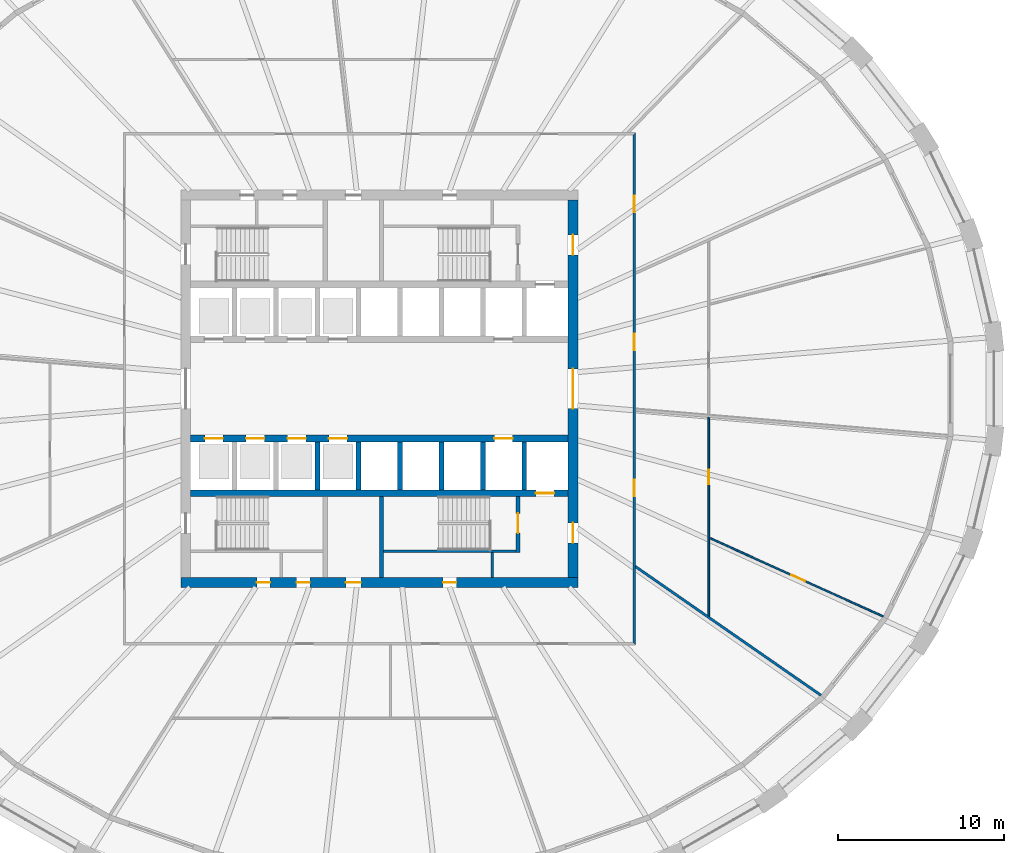
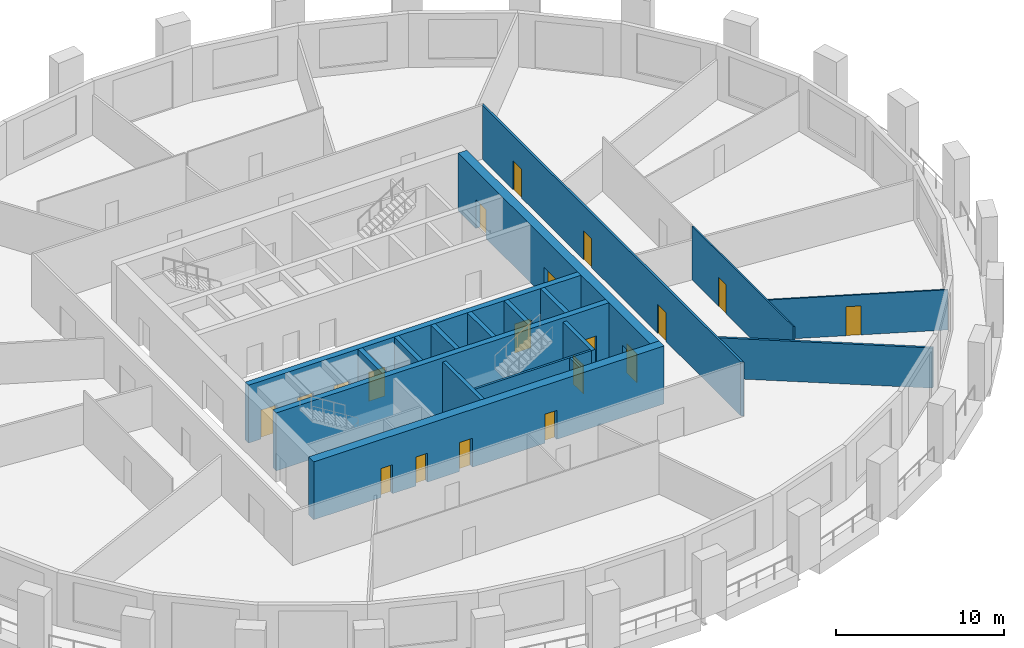
# One storey, part 4 of 10: 19 doors, 18 walls, 19 openings.
"""IFC4 building model written with IfcOpenShell, lengths in metres."""

from ifc_helpers import new_model, si_unit, direction, frame, frame_2d, origin, place, context, subcontext, project, spatial, polyline, rectangle, outline, extrude, material, layer, layer_set, type_object, element, fill, save


model = new_model("IFC4")

# Units and contexts
model_context = context("Model", 3, precision=1e-05, world=origin(), true_north=direction((0.0, 1.0)))
body_context = subcontext(model_context, "Body", "Model", "MODEL_VIEW")
ifc_project = project(units=[si_unit("LENGTHUNIT", "METRE"), si_unit("AREAUNIT", "SQUARE_METRE"), si_unit("VOLUMEUNIT", "CUBIC_METRE"), si_unit("PLANEANGLEUNIT", "RADIAN"), si_unit("MASSUNIT", "GRAM", prefix="KILO")], contexts=[model_context])

# Site, building, storey
site_placement = place(None, origin())
site = spatial("IfcSite", under=ifc_project, at=site_placement, CompositionType="ELEMENT")
building_placement = place(site_placement, origin())
building = spatial("IfcBuilding", under=site, at=building_placement, Name="Halqa Exchange Tower", CompositionType="ELEMENT")
storey_placement = place(building_placement, frame((0.0, 0.0, 48.699951171875)))
storey = spatial("IfcBuildingStorey", under=building, at=storey_placement, Name="L10", CompositionType="ELEMENT", Elevation=48.699951171875)

# Wall, openings, doors
ifc_material_1 = material(Name="Fire-rated gypsum board")
ifc_layer_1 = layer(ifc_material_1, 0.14990234375)
ifc_layer_set_1 = layer_set([ifc_layer_1], Name="Fire-rated gypsum board")
wall_type_1 = type_object("IfcWallType", Name="Fire partition EI 60 150", PredefinedType="PARTITIONING", material=ifc_layer_set_1)
wall_1_placement = place(storey_placement, frame((15.39990234375, -15.47509765625, 0.0), z_axis=(0.0, 0.0, 1.0), x_axis=(0.0, 1.0, 0.0)))
wall_1 = element("IfcWall", 1, at=wall_1_placement, inside=storey, type_object=wall_type_1, Name="L10-PWL-018", PredefinedType="PARTITIONING", context=body_context, shape_type="SweptSolid", body=[
    extrude(outline(polyline([(0.000244140625, -0.074951171875), (1.9345703125, -0.074951171875), (3.868896484375, -0.074951171875), (5.80322265625, -0.074951171875), (7.73779296875, -0.074951171875), (9.672119140625, -0.074951171875), (11.6064453125, -0.074951171875), (13.540771484375, -0.074951171875), (15.47509765625, -0.074951171875), (17.409423828125, -0.074951171875), (19.34375, -0.074951171875), (21.278076171875, -0.074951171875), (23.21240234375, -0.074951171875), (25.14697265625, -0.074951171875), (27.081298828125, -0.074951171875), (29.015625, -0.074951171875), (30.949951171875, -0.074951171875), (30.800048828125, 0.074951171875), (28.884521484375, 0.074951171875), (26.96875, 0.074951171875), (25.05322265625, 0.074951171875), (23.1376953125, 0.074951171875), (21.221923828125, 0.074951171875), (19.306396484375, 0.074951171875), (17.390625, 0.074951171875), (15.47509765625, 0.074951171875), (13.5595703125, 0.074951171875), (11.643798828125, 0.074951171875), (9.728271484375, 0.074951171875), (7.8125, 0.074951171875), (5.89697265625, 0.074951171875), (3.9814453125, 0.074951171875), (2.065673828125, 0.074951171875), (0.150146484375, 0.074951171875), (0.000244140625, -0.074951171875)])), origin(), (0.0, 0.0, 1.0), 3.900146484375),
])
opening_1_placement = place(wall_1_placement, frame((8.989990234375, 0.0, 0.0)))
opening_1 = element("IfcOpeningElement", 2, at=opening_1_placement, cuts=wall_1, Name="Opening 03-10", PredefinedType="OPENING", context=body_context, shape_type="SweptSolid", body=[
    extrude(rectangle(XDim=1.0, YDim=2.10009765625, at=frame_2d((0.5, 1.050048828125))), frame((0.0, 0.0869140625, 0.0), z_axis=(0.0, -1.0, 0.0), x_axis=(1.0, 0.0, 0.0)), (0.0, 0.0, 1.0), 0.173828125),
])
opening_2_placement = place(wall_1_placement, frame((17.81494140625, 0.0, 0.0)))
opening_2 = element("IfcOpeningElement", 3, at=opening_2_placement, cuts=wall_1, Name="Opening 03-11", PredefinedType="OPENING", context=body_context, shape_type="SweptSolid", body=[
    extrude(rectangle(XDim=1.0, YDim=2.10009765625, at=frame_2d((0.5, 1.050048828125))), frame((0.0, 0.0869140625, 0.0), z_axis=(0.0, -1.0, 0.0), x_axis=(1.0, 0.0, 0.0)), (0.0, 0.0, 1.0), 0.173828125),
])
opening_3_placement = place(wall_1_placement, frame((26.155029296875, 0.0, 0.0)))
opening_3 = element("IfcOpeningElement", 4, at=opening_3_placement, cuts=wall_1, Name="Opening 03-12", PredefinedType="OPENING", context=body_context, shape_type="SweptSolid", body=[
    extrude(rectangle(XDim=1.0, YDim=2.10009765625, at=frame_2d((0.5, 1.050048828125))), frame((0.0, 0.0869140625, 0.0), z_axis=(0.0, -1.0, 0.0), x_axis=(1.0, 0.0, 0.0)), (0.0, 0.0, 1.0), 0.173828125),
])
ifc_material_2 = material(Name="Steel fire door leaf", Category="steel")
door_type_1 = type_object("IfcDoorType", Name="Fire door FD30S 1000 x 2100", OperationType="SINGLE_SWING_LEFT", PredefinedType="DOOR", material=ifc_material_2)
door_1_placement = place(opening_1_placement, frame((1.0, 0.0, 0.0), z_axis=(0.0, 0.0, 1.0), x_axis=(-1.0, 0.0, 0.0)))
door_1 = element("IfcDoor", 5, at=door_1_placement, inside=storey, type_object=door_type_1, Name="L10-IDR-010", OperationType="SINGLE_SWING_RIGHT", OverallHeight=2.10009765625, OverallWidth=1.0, PredefinedType="DOOR", context=body_context, shape_type="SweptSolid", body=[
    extrude(rectangle(XDim=1.0, YDim=2.10009765625, at=frame_2d((0.5, 1.050048828125))), frame((0.0, 0.02490234375, 0.0), z_axis=(0.0, -1.0, 0.0), x_axis=(1.0, 0.0, 0.0)), (0.0, 0.0, 1.0), 0.050048828125),
])
fill(opening_1, door_1)
door_2_placement = place(opening_2_placement, frame((1.0, 0.0, 0.0), z_axis=(0.0, 0.0, 1.0), x_axis=(-1.0, 0.0, 0.0)))
door_2 = element("IfcDoor", 6, at=door_2_placement, inside=storey, type_object=door_type_1, Name="L10-IDR-011", OperationType="SINGLE_SWING_RIGHT", OverallHeight=2.10009765625, OverallWidth=1.0, PredefinedType="DOOR", context=body_context, shape_type="SweptSolid", body=[
    extrude(rectangle(XDim=1.0, YDim=2.10009765625, at=frame_2d((0.5, 1.050048828125))), frame((0.0, 0.02490234375, 0.0), z_axis=(0.0, -1.0, 0.0), x_axis=(1.0, 0.0, 0.0)), (0.0, 0.0, 1.0), 0.050048828125),
])
fill(opening_2, door_2)
door_3_placement = place(opening_3_placement, frame((1.0, 0.0, 0.0), z_axis=(0.0, 0.0, 1.0), x_axis=(-1.0, 0.0, 0.0)))
door_3 = element("IfcDoor", 7, at=door_3_placement, inside=storey, type_object=door_type_1, Name="L10-IDR-012", OperationType="SINGLE_SWING_LEFT", OverallHeight=2.10009765625, OverallWidth=1.0, PredefinedType="DOOR", context=body_context, shape_type="SweptSolid", body=[
    extrude(rectangle(XDim=1.0, YDim=2.10009765625, at=frame_2d((0.5, 1.050048828125))), frame((0.0, 0.02490234375, 0.0), z_axis=(0.0, -1.0, 0.0), x_axis=(1.0, 0.0, 0.0)), (0.0, 0.0, 1.0), 0.050048828125),
])
fill(opening_3, door_3)

# Wall
wall_2_placement = place(storey_placement, frame((15.4326171875, -10.71240234375, 0.0), z_axis=(0.0, 0.0, 1.0), x_axis=(0.82159356676, -0.570073689148, 0.0)))
element("IfcWall", 8, at=wall_2_placement, inside=storey, type_object=wall_type_1, Name="L10-PWL-019", PredefinedType="PARTITIONING", context=body_context, shape_type="SweptSolid", body=[
    extrude(outline(polyline([(0.103515625, -0.074951171875), (2.04150390625, -0.074951171875), (3.9794921875, -0.074951171875), (5.917236328125, -0.074951171875), (7.855224609375, -0.074951171875), (9.793212890625, -0.074951171875), (11.731201171875, -0.074951171875), (13.6689453125, -0.074951171875), (13.689697265625, 0.001953125), (13.694091796875, 0.073974609375), (13.694091796875, 0.074951171875), (12.021484375, 0.074951171875), (10.348876953125, 0.074951171875), (8.67626953125, 0.074951171875), (7.003662109375, 0.074951171875), (5.331298828125, 0.074951171875), (5.32666015625, 0.07177734375), (5.32470703125, 0.074951171875), (3.5498046875, 0.074951171875), (1.77490234375, 0.074951171875), (0.0, 0.074951171875), (0.0, 0.074462890625), (0.103515625, -0.074951171875)])), origin(), (0.0, 0.0, 1.0), 2.91015625),
])

# Wall, opening, door
ifc_material_3 = material(Name="Gypsum board")
ifc_layer_2 = layer(ifc_material_3, 0.10009765625)
ifc_layer_set_2 = layer_set([ifc_layer_2], Name="Gypsum board")
wall_type_2 = type_object("IfcWallType", Name="Partition 100 gypsum", PredefinedType="PARTITIONING", material=ifc_layer_set_2)
wall_3_placement = place(storey_placement, frame((19.89990234375, -13.755615234375, 0.0), z_axis=(0.0, 0.0, 1.0), x_axis=(0.0, 1.0, 0.0)))
wall_3 = element("IfcWall", 9, at=wall_3_placement, inside=storey, type_object=wall_type_2, Name="L10-PWL-022", PredefinedType="PARTITIONING", context=body_context, shape_type="SweptSolid", body=[
    extrude(outline(polyline([(0.0, -0.050048828125), (1.562744140625, -0.050048828125), (3.12548828125, -0.050048828125), (4.688232421875, -0.050048828125), (4.689208984375, -0.0478515625), (4.69384765625, -0.050048828125), (6.525390625, -0.050048828125), (8.35693359375, -0.050048828125), (10.188232421875, -0.050048828125), (12.019775390625, -0.050048828125), (12.028076171875, 0.049072265625), (12.028076171875, 0.050048828125), (10.034912109375, 0.050048828125), (8.041748046875, 0.050048828125), (6.048828125, 0.050048828125), (4.0556640625, 0.050048828125), (2.0625, 0.050048828125), (0.0693359375, 0.050048828125), (0.0, -0.050048828125), (0.0, -0.050048828125)])), origin(), (0.0, 0.0, 1.0), 3.900146484375),
])
opening_4_placement = place(wall_3_placement, frame((7.98046875, 0.0, 0.0)))
opening_4 = element("IfcOpeningElement", 10, at=opening_4_placement, cuts=wall_3, Name="Opening 03-18", PredefinedType="OPENING", context=body_context, shape_type="SweptSolid", body=[
    extrude(rectangle(XDim=0.89990234375, YDim=2.10009765625, at=frame_2d((0.449951171875, 1.050048828125))), frame((0.0, 0.06201171875, 0.0), z_axis=(0.0, -1.0, 0.0), x_axis=(1.0, 0.0, 0.0)), (0.0, 0.0, 1.0), 0.1240234375),
])
ifc_material_4 = material(Name="Timber door leaf", Category="wood")
door_type_2 = type_object("IfcDoorType", Name="Door 900 x 2100", OperationType="SINGLE_SWING_LEFT", PredefinedType="DOOR", material=ifc_material_4)
door_4_placement = place(opening_4_placement, origin())
door_4 = element("IfcDoor", 11, at=door_4_placement, inside=storey, type_object=door_type_2, Name="L10-IDR-018", OperationType="SINGLE_SWING_LEFT", OverallHeight=2.10009765625, OverallWidth=0.89990234375, PredefinedType="DOOR", context=body_context, shape_type="SweptSolid", body=[
    extrude(rectangle(XDim=0.89990234375, YDim=2.10009765625, at=frame_2d((0.449951171875, 1.050048828125))), frame((0.0, 0.02490234375, 0.0), z_axis=(0.0, -1.0, 0.0), x_axis=(1.0, 0.0, 0.0)), (0.0, 0.0, 1.0), 0.050048828125),
])
fill(opening_4, door_4)

wall_4_placement = place(storey_placement, frame((19.9296875, -9.00341796875, 0.0), z_axis=(0.0, 0.0, 1.0), x_axis=(0.911257901719, -0.41183617684, 0.0)))
wall_4 = element("IfcWall", 12, at=wall_4_placement, inside=storey, type_object=wall_type_2, Name="L10-PWL-023", PredefinedType="PARTITIONING", context=body_context, shape_type="SweptSolid", body=[
    extrude(outline(polyline([(0.044921875, -0.050048828125), (1.9580078125, -0.050048828125), (3.871337890625, -0.050048828125), (5.78466796875, -0.050048828125), (7.69775390625, -0.050048828125), (9.611083984375, -0.050048828125), (11.524169921875, -0.050048828125), (11.535888671875, -0.003662109375), (11.537353515625, 0.0478515625), (11.537353515625, 0.050048828125), (9.614501953125, 0.050048828125), (7.691650390625, 0.050048828125), (5.7685546875, 0.050048828125), (3.845703125, 0.050048828125), (1.9228515625, 0.050048828125), (0.0, 0.050048828125), (0.0, 0.04931640625), (0.044921875, -0.050048828125)])), origin(), (0.0, 0.0, 1.0), 2.91015625),
])
opening_5_placement = place(wall_4_placement, frame((5.454345703125, 0.0, 0.0)))
opening_5 = element("IfcOpeningElement", 13, at=opening_5_placement, cuts=wall_4, Name="Opening 03-19", PredefinedType="OPENING", context=body_context, shape_type="SweptSolid", body=[
    extrude(rectangle(XDim=0.89990234375, YDim=2.10009765625, at=frame_2d((0.449951171875, 1.050048828125))), frame((0.0, 0.06201171875, 0.0), z_axis=(0.0, -1.0, 0.0), x_axis=(1.0, 0.0, 0.0)), (0.0, 0.0, 1.0), 0.1240234375),
])
door_5_placement = place(opening_5_placement, frame((0.89990234375, 0.0, 0.0), z_axis=(0.0, 0.0, 1.0), x_axis=(-1.0, 0.0, 0.0)))
door_5 = element("IfcDoor", 14, at=door_5_placement, inside=storey, type_object=door_type_2, Name="L10-IDR-019", OperationType="SINGLE_SWING_RIGHT", OverallHeight=2.10009765625, OverallWidth=0.89990234375, PredefinedType="DOOR", context=body_context, shape_type="SweptSolid", body=[
    extrude(rectangle(XDim=0.89990234375, YDim=2.10009765625, at=frame_2d((0.449951171875, 1.050048828125))), frame((0.0, 0.02490234375, 0.0), z_axis=(0.0, -1.0, 0.0), x_axis=(1.0, 0.0, 0.0)), (0.0, 0.0, 1.0), 0.050048828125),
])
fill(opening_5, door_5)

# Walls
ifc_layer_3 = layer(ifc_material_3, 0.14990234375)
ifc_layer_set_3 = layer_set([ifc_layer_3], Name="Gypsum board")
wall_type_3 = type_object("IfcWallType", Name="Penthouse riser wall 150 gypsum", PredefinedType="PARTITIONING", material=ifc_layer_set_3)
wall_5_placement = place(storey_placement, frame((6.824951171875, -11.39990234375, 0.0), z_axis=(0.0, 0.0, 1.0), x_axis=(0.0, 1.0, 0.0)))
element("IfcWall", 15, at=wall_5_placement, inside=storey, type_object=wall_type_3, Name="Firefighting lobby west wall S", PredefinedType="PARTITIONING", context=body_context, shape_type="SweptSolid", body=[
    extrude(rectangle(XDim=1.5, YDim=0.14990234375, at=frame_2d((0.75, 0.0))), origin(), (0.0, 0.0, 1.0), 3.900146484375),
])
ifc_material_5 = material(Name="Concrete C60/75", Category="concrete")
ifc_layer_4 = layer(ifc_material_5, 0.300048828125)
ifc_layer_set_4 = layer_set([ifc_layer_4], Name="Concrete C60/75")
wall_type_4 = type_object("IfcWallType", Name="RC core wall 300", PredefinedType="SHEAR", material=ifc_layer_set_4)
for number, where, z_axis, x_axis, name in (
    (16, (-3.75, -6.10009765625, 0.0), (0.0, 0.0, 1.0), (0.0, 1.0, 0.0), "Shaft divider S3"),
    (17, (-1.25, -6.10009765625, 0.0), (0.0, 0.0, 1.0), (0.0, 1.0, 0.0), "Shaft divider S4"),
    (18, (1.25, -6.10009765625, 0.0), (0.0, 0.0, 1.0), (0.0, 1.0, 0.0), "Shaft divider S5"),
    (19, (3.75, -6.10009765625, 0.0), (0.0, 0.0, 1.0), (0.0, 1.0, 0.0), "Shaft divider S6"),
    (20, (6.25, -6.10009765625, 0.0), (0.0, 0.0, 1.0), (0.0, 1.0, 0.0), "Shaft divider S7"),
    (21, (8.75, -6.10009765625, 0.0), (0.0, 0.0, 1.0), (0.0, 1.0, 0.0), "Shaft divider S8"),
):
    element("IfcWall", number, at=place(storey_placement, frame(where, z_axis=z_axis, x_axis=x_axis)), inside=storey, type_object=wall_type_4, Name=name, PredefinedType="SHEAR", context=body_context, shape_type="SweptSolid", body=[
        extrude(rectangle(XDim=2.900146484375, YDim=0.300048828125, at=frame_2d((1.4501953125, 0.0))), origin(), (0.0, 0.0, 1.0), 4.199951171875),
    ])

# Wall, openings, doors
ifc_material_6 = material(Name="Concrete C80/95", Category="concrete")
ifc_layer_5 = layer(ifc_material_6, 0.39990234375)
ifc_layer_set_5 = layer_set([ifc_layer_5], Name="Concrete C80/95")
wall_type_5 = type_object("IfcWallType", Name="RC core wall 400 C80/95", PredefinedType="SHEAR", material=ifc_layer_set_5)
wall_6_placement = place(storey_placement, frame((-11.39990234375, -3.0, 0.0), z_axis=(0.0, 0.0, 1.0), x_axis=(1.0, 0.0, 0.0)))
wall_6 = element("IfcWall", 22, at=wall_6_placement, inside=storey, type_object=wall_type_5, Name="Lift row front wall S", PredefinedType="SHEAR", context=body_context, shape_type="SweptSolid", body=[
    extrude(rectangle(XDim=22.7998046875, YDim=0.39990234375, at=frame_2d((11.39990234375, 0.0))), origin(), (0.0, 0.0, 1.0), 4.199951171875),
])
opening_6_placement = place(wall_6_placement, frame((0.85009765625, 0.0, 0.0)))
opening_6 = element("IfcOpeningElement", 23, at=opening_6_placement, cuts=wall_6, Name="Opening LD-LR5-T03", PredefinedType="OPENING", context=body_context, shape_type="SweptSolid", body=[
    extrude(rectangle(XDim=1.10009765625, YDim=2.10009765625, at=frame_2d((0.550048828125, 1.050048828125))), frame((0.0, 0.2119140625, 0.0), z_axis=(0.0, -1.0, 0.0), x_axis=(1.0, 0.0, 0.0)), (0.0, 0.0, 1.0), 0.423828125),
])
opening_7_placement = place(wall_6_placement, frame((3.35009765625, 0.0, 0.0)))
opening_7 = element("IfcOpeningElement", 24, at=opening_7_placement, cuts=wall_6, Name="Opening LD-LR6-T03", PredefinedType="OPENING", context=body_context, shape_type="SweptSolid", body=[
    extrude(rectangle(XDim=1.10009765625, YDim=2.10009765625, at=frame_2d((0.550048828125, 1.050048828125))), frame((0.0, 0.2119140625, 0.0), z_axis=(0.0, -1.0, 0.0), x_axis=(1.0, 0.0, 0.0)), (0.0, 0.0, 1.0), 0.423828125),
])
opening_8_placement = place(wall_6_placement, frame((5.85009765625, 0.0, 0.0)))
opening_8 = element("IfcOpeningElement", 25, at=opening_8_placement, cuts=wall_6, Name="Opening LD-LR7-T03", PredefinedType="OPENING", context=body_context, shape_type="SweptSolid", body=[
    extrude(rectangle(XDim=1.10009765625, YDim=2.10009765625, at=frame_2d((0.550048828125, 1.050048828125))), frame((0.0, 0.2119140625, 0.0), z_axis=(0.0, -1.0, 0.0), x_axis=(1.0, 0.0, 0.0)), (0.0, 0.0, 1.0), 0.423828125),
])
opening_9_placement = place(wall_6_placement, frame((8.35009765625, 0.0, 0.0)))
opening_9 = element("IfcOpeningElement", 26, at=opening_9_placement, cuts=wall_6, Name="Opening LD-LR8-T03", PredefinedType="OPENING", context=body_context, shape_type="SweptSolid", body=[
    extrude(rectangle(XDim=1.10009765625, YDim=2.10009765625, at=frame_2d((0.550048828125, 1.050048828125))), frame((0.0, 0.2119140625, 0.0), z_axis=(0.0, -1.0, 0.0), x_axis=(1.0, 0.0, 0.0)), (0.0, 0.0, 1.0), 0.423828125),
])
opening_10_placement = place(wall_6_placement, frame((18.35009765625, 0.0, 0.0)))
opening_10 = element("IfcOpeningElement", 27, at=opening_10_placement, cuts=wall_6, Name="Opening LD-SV2-T03", PredefinedType="OPENING", context=body_context, shape_type="SweptSolid", body=[
    extrude(rectangle(XDim=1.10009765625, YDim=2.10009765625, at=frame_2d((0.550048828125, 1.050048828125))), frame((0.0, 0.2119140625, 0.0), z_axis=(0.0, -1.0, 0.0), x_axis=(1.0, 0.0, 0.0)), (0.0, 0.0, 1.0), 0.423828125),
])
ifc_material_7 = material(Name="Stainless steel", Category="steel")
door_type_3 = type_object("IfcDoorType", Name="Lift landing door 1100 x 2100", OperationType="SLIDING_TO_LEFT", PredefinedType="DOOR", material=ifc_material_7)
door_6_placement = place(opening_6_placement, origin())
door_6 = element("IfcDoor", 28, at=door_6_placement, inside=storey, type_object=door_type_3, Name="Lift landing door LR5", OperationType="SLIDING_TO_LEFT", OverallHeight=2.10009765625, OverallWidth=1.10009765625, PredefinedType="DOOR", context=body_context, shape_type="SweptSolid", body=[
    extrude(rectangle(XDim=1.10009765625, YDim=2.10009765625, at=frame_2d((0.550048828125, 1.050048828125))), frame((0.0, 0.02490234375, 0.0), z_axis=(0.0, -1.0, 0.0), x_axis=(1.0, 0.0, 0.0)), (0.0, 0.0, 1.0), 0.050048828125),
])
fill(opening_6, door_6)
door_7_placement = place(opening_7_placement, origin())
door_7 = element("IfcDoor", 29, at=door_7_placement, inside=storey, type_object=door_type_3, Name="Lift landing door LR6", OperationType="SLIDING_TO_LEFT", OverallHeight=2.10009765625, OverallWidth=1.10009765625, PredefinedType="DOOR", context=body_context, shape_type="SweptSolid", body=[
    extrude(rectangle(XDim=1.10009765625, YDim=2.10009765625, at=frame_2d((0.550048828125, 1.050048828125))), frame((0.0, 0.02490234375, 0.0), z_axis=(0.0, -1.0, 0.0), x_axis=(1.0, 0.0, 0.0)), (0.0, 0.0, 1.0), 0.050048828125),
])
fill(opening_7, door_7)
door_8_placement = place(opening_8_placement, origin())
door_8 = element("IfcDoor", 30, at=door_8_placement, inside=storey, type_object=door_type_3, Name="Lift landing door LR7", OperationType="SLIDING_TO_LEFT", OverallHeight=2.10009765625, OverallWidth=1.10009765625, PredefinedType="DOOR", context=body_context, shape_type="SweptSolid", body=[
    extrude(rectangle(XDim=1.10009765625, YDim=2.10009765625, at=frame_2d((0.550048828125, 1.050048828125))), frame((0.0, 0.02490234375, 0.0), z_axis=(0.0, -1.0, 0.0), x_axis=(1.0, 0.0, 0.0)), (0.0, 0.0, 1.0), 0.050048828125),
])
fill(opening_8, door_8)
door_9_placement = place(opening_9_placement, origin())
door_9 = element("IfcDoor", 31, at=door_9_placement, inside=storey, type_object=door_type_3, Name="Lift landing door LR8", OperationType="SLIDING_TO_LEFT", OverallHeight=2.10009765625, OverallWidth=1.10009765625, PredefinedType="DOOR", context=body_context, shape_type="SweptSolid", body=[
    extrude(rectangle(XDim=1.10009765625, YDim=2.10009765625, at=frame_2d((0.550048828125, 1.050048828125))), frame((0.0, 0.02490234375, 0.0), z_axis=(0.0, -1.0, 0.0), x_axis=(1.0, 0.0, 0.0)), (0.0, 0.0, 1.0), 0.050048828125),
])
fill(opening_9, door_9)
door_10_placement = place(opening_10_placement, origin())
door_10 = element("IfcDoor", 32, at=door_10_placement, inside=storey, type_object=door_type_3, Name="Lift landing door SV2", OperationType="SLIDING_TO_LEFT", OverallHeight=2.10009765625, OverallWidth=1.10009765625, PredefinedType="DOOR", context=body_context, shape_type="SweptSolid", body=[
    extrude(rectangle(XDim=1.10009765625, YDim=2.10009765625, at=frame_2d((0.550048828125, 1.050048828125))), frame((0.0, 0.02490234375, 0.0), z_axis=(0.0, -1.0, 0.0), x_axis=(1.0, 0.0, 0.0)), (0.0, 0.0, 1.0), 0.050048828125),
])
fill(opening_10, door_10)

# Wall, opening, door
wall_7_placement = place(storey_placement, frame((-11.39990234375, -6.300048828125, 0.0), z_axis=(0.0, 0.0, 1.0), x_axis=(1.0, 0.0, 0.0)))
wall_7 = element("IfcWall", 33, at=wall_7_placement, inside=storey, type_object=wall_type_5, Name="Lift row back wall S", PredefinedType="SHEAR", context=body_context, shape_type="SweptSolid", body=[
    extrude(rectangle(XDim=22.7998046875, YDim=0.39990234375, at=frame_2d((11.39990234375, 0.0))), origin(), (0.0, 0.0, 1.0), 4.199951171875),
])
opening_11_placement = place(wall_7_placement, frame((20.85009765625, 0.0, 0.0)))
opening_11 = element("IfcOpeningElement", 34, at=opening_11_placement, cuts=wall_7, Name="Opening LD-FF2-T03", PredefinedType="OPENING", context=body_context, shape_type="SweptSolid", body=[
    extrude(rectangle(XDim=1.10009765625, YDim=2.10009765625, at=frame_2d((0.550048828125, 1.050048828125))), frame((0.0, 0.2119140625, 0.0), z_axis=(0.0, -1.0, 0.0), x_axis=(1.0, 0.0, 0.0)), (0.0, 0.0, 1.0), 0.423828125),
])
door_11_placement = place(opening_11_placement, origin())
door_11 = element("IfcDoor", 35, at=door_11_placement, inside=storey, type_object=door_type_3, Name="Lift landing door FF2", OperationType="SLIDING_TO_LEFT", OverallHeight=2.10009765625, OverallWidth=1.10009765625, PredefinedType="DOOR", context=body_context, shape_type="SweptSolid", body=[
    extrude(rectangle(XDim=1.10009765625, YDim=2.10009765625, at=frame_2d((0.550048828125, 1.050048828125))), frame((0.0, 0.02490234375, 0.0), z_axis=(0.0, -1.0, 0.0), x_axis=(1.0, 0.0, 0.0)), (0.0, 0.0, 1.0), 0.050048828125),
])
fill(opening_11, door_11)

# Wall, openings, doors
ifc_layer_6 = layer(ifc_material_6, 0.60009765625)
ifc_layer_set_6 = layer_set([ifc_layer_6], Name="Concrete C80/95")
wall_type_6 = type_object("IfcWallType", Name="RC core wall 600 C80/95", PredefinedType="SHEAR", material=ifc_layer_set_6)
wall_8_placement = place(storey_placement, frame((-12.0, -11.699951171875, 0.0), z_axis=(0.0, 0.0, 1.0), x_axis=(1.0, 0.0, 0.0)))
wall_8 = element("IfcWall", 36, at=wall_8_placement, inside=storey, type_object=wall_type_6, Name="Core wall south", PredefinedType="SHEAR", context=body_context, shape_type="SweptSolid", body=[
    extrude(rectangle(XDim=24.0, YDim=0.60009765625, at=frame_2d((12.0, 0.0))), origin(), (0.0, 0.0, 1.0), 4.199951171875),
])
opening_12_placement = place(wall_8_placement, frame((9.97509765625, 0.0, 0.0)))
opening_12 = element("IfcOpeningElement", 37, at=opening_12_placement, cuts=wall_8, Name="Opening T03-C25", PredefinedType="OPENING", context=body_context, shape_type="SweptSolid", body=[
    extrude(rectangle(XDim=0.89990234375, YDim=2.10009765625, at=frame_2d((0.449951171875, 1.050048828125))), frame((0.0, 0.31201171875, 0.0), z_axis=(0.0, -1.0, 0.0), x_axis=(1.0, 0.0, 0.0)), (0.0, 0.0, 1.0), 0.6240234375),
])
opening_13_placement = place(wall_8_placement, frame((4.60009765625, 0.0, 0.0)))
opening_13 = element("IfcOpeningElement", 38, at=opening_13_placement, cuts=wall_8, Name="Opening T03-C26", PredefinedType="OPENING", context=body_context, shape_type="SweptSolid", body=[
    extrude(rectangle(XDim=0.800048828125, YDim=2.10009765625, at=frame_2d((0.39990234375, 1.050048828125))), frame((0.0, 0.31201171875, 0.0), z_axis=(0.0, -1.0, 0.0), x_axis=(1.0, 0.0, 0.0)), (0.0, 0.0, 1.0), 0.6240234375),
])
opening_14_placement = place(wall_8_placement, frame((7.0, 0.0, 0.0)))
opening_14 = element("IfcOpeningElement", 39, at=opening_14_placement, cuts=wall_8, Name="Opening T03-C27", PredefinedType="OPENING", context=body_context, shape_type="SweptSolid", body=[
    extrude(rectangle(XDim=0.800048828125, YDim=2.10009765625, at=frame_2d((0.39990234375, 1.050048828125))), frame((0.0, 0.31201171875, 0.0), z_axis=(0.0, -1.0, 0.0), x_axis=(1.0, 0.0, 0.0)), (0.0, 0.0, 1.0), 0.6240234375),
])
opening_15_placement = place(wall_8_placement, frame((15.85009765625, 0.0, 0.0)))
opening_15 = element("IfcOpeningElement", 40, at=opening_15_placement, cuts=wall_8, Name="Opening T03-C28", PredefinedType="OPENING", context=body_context, shape_type="SweptSolid", body=[
    extrude(rectangle(XDim=0.800048828125, YDim=2.10009765625, at=frame_2d((0.39990234375, 1.050048828125))), frame((0.0, 0.31201171875, 0.0), z_axis=(0.0, -1.0, 0.0), x_axis=(1.0, 0.0, 0.0)), (0.0, 0.0, 1.0), 0.6240234375),
])
ifc_material_8 = material(Name="Timber fire door leaf", Category="wood")
door_type_4 = type_object("IfcDoorType", Name="Core room door FD30 900 x 2100", OperationType="SINGLE_SWING_LEFT", PredefinedType="DOOR", material=ifc_material_8)
door_12_placement = place(opening_12_placement, origin())
door_12 = element("IfcDoor", 41, at=door_12_placement, inside=storey, type_object=door_type_4, Name="Core room door", OperationType="SINGLE_SWING_LEFT", OverallHeight=2.10009765625, OverallWidth=0.89990234375, PredefinedType="DOOR", context=body_context, shape_type="SweptSolid", body=[
    extrude(rectangle(XDim=0.89990234375, YDim=2.10009765625, at=frame_2d((0.449951171875, 1.050048828125))), frame((0.0, 0.02490234375, 0.0), z_axis=(0.0, -1.0, 0.0), x_axis=(1.0, 0.0, 0.0)), (0.0, 0.0, 1.0), 0.050048828125),
])
fill(opening_12, door_12)
door_type_5 = type_object("IfcDoorType", Name="Riser door FD60 800 x 2100", OperationType="SINGLE_SWING_LEFT", PredefinedType="DOOR", material=ifc_material_2)
door_13_placement = place(opening_13_placement, origin())
door_13 = element("IfcDoor", 42, at=door_13_placement, inside=storey, type_object=door_type_5, Name="Core room door", OperationType="SINGLE_SWING_LEFT", OverallHeight=2.10009765625, OverallWidth=0.800048828125, PredefinedType="DOOR", context=body_context, shape_type="SweptSolid", body=[
    extrude(rectangle(XDim=0.800048828125, YDim=2.10009765625, at=frame_2d((0.39990234375, 1.050048828125))), frame((0.0, 0.02490234375, 0.0), z_axis=(0.0, -1.0, 0.0), x_axis=(1.0, 0.0, 0.0)), (0.0, 0.0, 1.0), 0.050048828125),
])
fill(opening_13, door_13)
door_14_placement = place(opening_14_placement, origin())
door_14 = element("IfcDoor", 43, at=door_14_placement, inside=storey, type_object=door_type_5, Name="Core room door", OperationType="SINGLE_SWING_LEFT", OverallHeight=2.10009765625, OverallWidth=0.800048828125, PredefinedType="DOOR", context=body_context, shape_type="SweptSolid", body=[
    extrude(rectangle(XDim=0.800048828125, YDim=2.10009765625, at=frame_2d((0.39990234375, 1.050048828125))), frame((0.0, 0.02490234375, 0.0), z_axis=(0.0, -1.0, 0.0), x_axis=(1.0, 0.0, 0.0)), (0.0, 0.0, 1.0), 0.050048828125),
])
fill(opening_14, door_14)
door_15_placement = place(opening_15_placement, origin())
door_15 = element("IfcDoor", 44, at=door_15_placement, inside=storey, type_object=door_type_5, Name="Core room door", OperationType="SINGLE_SWING_LEFT", OverallHeight=2.10009765625, OverallWidth=0.800048828125, PredefinedType="DOOR", context=body_context, shape_type="SweptSolid", body=[
    extrude(rectangle(XDim=0.800048828125, YDim=2.10009765625, at=frame_2d((0.39990234375, 1.050048828125))), frame((0.0, 0.02490234375, 0.0), z_axis=(0.0, -1.0, 0.0), x_axis=(1.0, 0.0, 0.0)), (0.0, 0.0, 1.0), 0.050048828125),
])
fill(opening_15, door_15)

wall_9_placement = place(storey_placement, frame((11.699951171875, -11.39990234375, 0.0), z_axis=(0.0, 0.0, 1.0), x_axis=(0.0, 1.0, 0.0)))
wall_9 = element("IfcWall", 45, at=wall_9_placement, inside=storey, type_object=wall_type_6, Name="Core wall east", PredefinedType="SHEAR", context=body_context, shape_type="SweptSolid", body=[
    extrude(rectangle(XDim=22.7998046875, YDim=0.60009765625, at=frame_2d((11.39990234375, 0.0))), origin(), (0.0, 0.0, 1.0), 4.199951171875),
])
opening_16_placement = place(wall_9_placement, frame((10.199951171875, 0.0, 0.0)))
opening_16 = element("IfcOpeningElement", 46, at=opening_16_placement, cuts=wall_9, Name="Opening T03-C14", PredefinedType="OPENING", context=body_context, shape_type="SweptSolid", body=[
    extrude(rectangle(XDim=2.39990234375, YDim=2.10009765625, at=frame_2d((1.199951171875, 1.050048828125))), frame((0.0, 0.31201171875, 0.0), z_axis=(0.0, -1.0, 0.0), x_axis=(1.0, 0.0, 0.0)), (0.0, 0.0, 1.0), 0.6240234375),
])
opening_17_placement = place(wall_9_placement, frame((19.5, 0.0, 0.0)))
opening_17 = element("IfcOpeningElement", 47, at=opening_17_placement, cuts=wall_9, Name="Opening T03-C19", PredefinedType="OPENING", context=body_context, shape_type="SweptSolid", body=[
    extrude(rectangle(XDim=1.199951171875, YDim=2.10009765625, at=frame_2d((0.60009765625, 1.050048828125))), frame((0.0, 0.31201171875, 0.0), z_axis=(0.0, -1.0, 0.0), x_axis=(1.0, 0.0, 0.0)), (0.0, 0.0, 1.0), 0.6240234375),
])
opening_18_placement = place(wall_9_placement, frame((2.10009765625, 0.0, 0.0)))
opening_18 = element("IfcOpeningElement", 48, at=opening_18_placement, cuts=wall_9, Name="Opening T03-C20", PredefinedType="OPENING", context=body_context, shape_type="SweptSolid", body=[
    extrude(rectangle(XDim=1.199951171875, YDim=2.10009765625, at=frame_2d((0.60009765625, 1.050048828125))), frame((0.0, 0.31201171875, 0.0), z_axis=(0.0, -1.0, 0.0), x_axis=(1.0, 0.0, 0.0)), (0.0, 0.0, 1.0), 0.6240234375),
])
door_type_6 = type_object("IfcDoorType", Name="Firefighting lobby door FD90 1200 x 2100", OperationType="SINGLE_SWING_RIGHT", PredefinedType="DOOR", material=ifc_material_2)
door_16_placement = place(opening_17_placement, origin())
door_16 = element("IfcDoor", 49, at=door_16_placement, inside=storey, type_object=door_type_6, Name="Firefighting lobby door", OperationType="SINGLE_SWING_RIGHT", OverallHeight=2.10009765625, OverallWidth=1.199951171875, PredefinedType="DOOR", context=body_context, shape_type="SweptSolid", body=[
    extrude(rectangle(XDim=1.199951171875, YDim=2.10009765625, at=frame_2d((0.60009765625, 1.050048828125))), frame((0.0, 0.02490234375, 0.0), z_axis=(0.0, -1.0, 0.0), x_axis=(1.0, 0.0, 0.0)), (0.0, 0.0, 1.0), 0.050048828125),
])
fill(opening_17, door_16)
door_17_placement = place(opening_18_placement, origin())
door_17 = element("IfcDoor", 50, at=door_17_placement, inside=storey, type_object=door_type_6, Name="Firefighting lobby door", OperationType="SINGLE_SWING_LEFT", OverallHeight=2.10009765625, OverallWidth=1.199951171875, PredefinedType="DOOR", context=body_context, shape_type="SweptSolid", body=[
    extrude(rectangle(XDim=1.199951171875, YDim=2.10009765625, at=frame_2d((0.60009765625, 1.050048828125))), frame((0.0, 0.02490234375, 0.0), z_axis=(0.0, -1.0, 0.0), x_axis=(1.0, 0.0, 0.0)), (0.0, 0.0, 1.0), 0.050048828125),
])
fill(opening_18, door_17)
door_type_7 = type_object("IfcDoorType", Name="Lobby double door FD60 2400 x 2100", OperationType="DOUBLE_DOOR_SINGLE_SWING", PredefinedType="DOOR", material=ifc_material_2)
door_18_placement = place(opening_16_placement, origin())
door_18 = element("IfcDoor", 51, at=door_18_placement, inside=storey, type_object=door_type_7, Name="Lift lobby double door", OperationType="DOUBLE_DOOR_SINGLE_SWING", OverallHeight=2.10009765625, OverallWidth=2.39990234375, PredefinedType="DOOR", context=body_context, shape_type="SweptSolid", body=[
    extrude(rectangle(XDim=2.39990234375, YDim=2.10009765625, at=frame_2d((1.199951171875, 1.050048828125))), frame((0.0, 0.02490234375, 0.0), z_axis=(0.0, -1.0, 0.0), x_axis=(1.0, 0.0, 0.0)), (0.0, 0.0, 1.0), 0.050048828125),
])
fill(opening_16, door_18)

# Walls
ifc_material_9 = material(Name="Concrete C30/37", Category="concrete")
ifc_layer_7 = layer(ifc_material_9, 0.14990234375)
ifc_layer_set_7 = layer_set([ifc_layer_7], Name="Concrete C30/37")
wall_type_7 = type_object("IfcWallType", Name="RC stair wall 150 C30/37", PredefinedType="SHEAR", material=ifc_layer_set_7)
wall_10_placement = place(storey_placement, frame((0.25, -9.824951171875, 0.0), z_axis=(0.0, 0.0, 1.0), x_axis=(1.0, 0.0, 0.0)))
element("IfcWall", 52, at=wall_10_placement, inside=storey, type_object=wall_type_7, Name="Stair ST2 north wall S", PredefinedType="SHEAR", context=body_context, shape_type="SweptSolid", body=[
    extrude(rectangle(XDim=8.0, YDim=0.14990234375, at=frame_2d((4.0, 0.0))), origin(), (0.0, 0.0, 1.0), 3.900146484375),
])
ifc_layer_8 = layer(ifc_material_9, 0.25)
ifc_layer_set_8 = layer_set([ifc_layer_8], Name="Concrete C30/37")
wall_type_8 = type_object("IfcWallType", Name="RC stair wall 250 C30/37", PredefinedType="SHEAR", material=ifc_layer_set_8)
wall_11_placement = place(storey_placement, frame((0.125, -11.39990234375, 0.0), z_axis=(0.0, 0.0, 1.0), x_axis=(0.0, 1.0, 0.0)))
element("IfcWall", 53, at=wall_11_placement, inside=storey, type_object=wall_type_8, Name="Stair ST2 west wall S", PredefinedType="SHEAR", context=body_context, shape_type="SweptSolid", body=[
    extrude(rectangle(XDim=4.89990234375, YDim=0.25, at=frame_2d((2.449951171875, 0.0))), origin(), (0.0, 0.0, 1.0), 3.900146484375),
])

# Wall, opening, door
wall_12_placement = place(storey_placement, frame((8.375, -9.89990234375, 0.0), z_axis=(0.0, 0.0, 1.0), x_axis=(0.0, 1.0, 0.0)))
wall_12 = element("IfcWall", 54, at=wall_12_placement, inside=storey, type_object=wall_type_8, Name="Stair ST2 east wall S", PredefinedType="SHEAR", context=body_context, shape_type="SweptSolid", body=[
    extrude(rectangle(XDim=3.39990234375, YDim=0.25, at=frame_2d((1.699951171875, 0.0))), origin(), (0.0, 0.0, 1.0), 3.900146484375),
])
opening_19_placement = place(wall_12_placement, frame((1.175048828125, 0.0, 0.0)))
opening_19 = element("IfcOpeningElement", 55, at=opening_19_placement, cuts=wall_12, Name="Opening T03-C18", PredefinedType="OPENING", context=body_context, shape_type="SweptSolid", body=[
    extrude(rectangle(XDim=1.199951171875, YDim=2.10009765625, at=frame_2d((0.60009765625, 1.050048828125))), frame((0.0, 0.136962890625, 0.0), z_axis=(0.0, -1.0, 0.0), x_axis=(1.0, 0.0, 0.0)), (0.0, 0.0, 1.0), 0.27392578125),
])
door_type_8 = type_object("IfcDoorType", Name="Stair door FD90 1200 x 2100", OperationType="SINGLE_SWING_LEFT", PredefinedType="DOOR", material=ifc_material_2)
door_19_placement = place(opening_19_placement, origin())
door_19 = element("IfcDoor", 56, at=door_19_placement, inside=storey, type_object=door_type_8, Name="Stair door ST4", OperationType="SINGLE_SWING_LEFT", OverallHeight=2.10009765625, OverallWidth=1.199951171875, PredefinedType="DOOR", context=body_context, shape_type="SweptSolid", body=[
    extrude(rectangle(XDim=1.199951171875, YDim=2.10009765625, at=frame_2d((0.60009765625, 1.050048828125))), frame((0.0, 0.02490234375, 0.0), z_axis=(0.0, -1.0, 0.0), x_axis=(1.0, 0.0, 0.0)), (0.0, 0.0, 1.0), 0.050048828125),
])
fill(opening_19, door_19)

save(model, "model.ifc")
